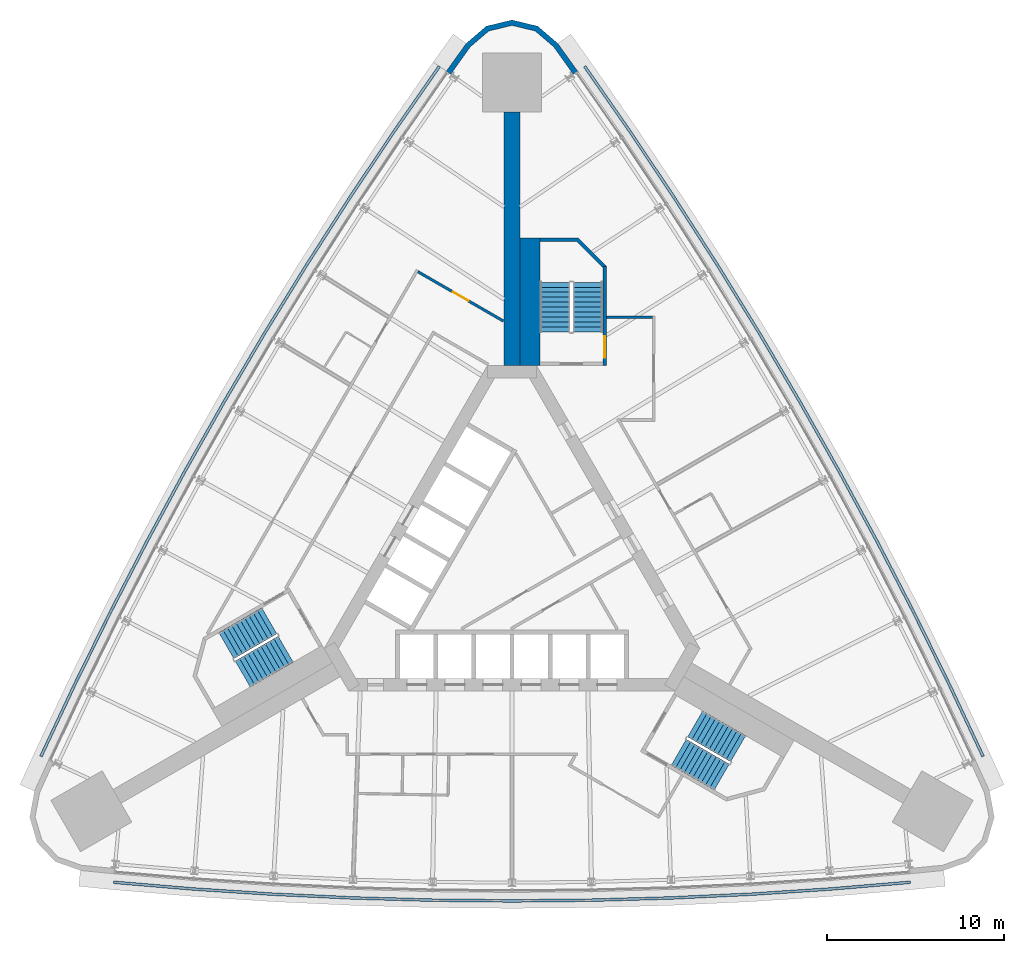
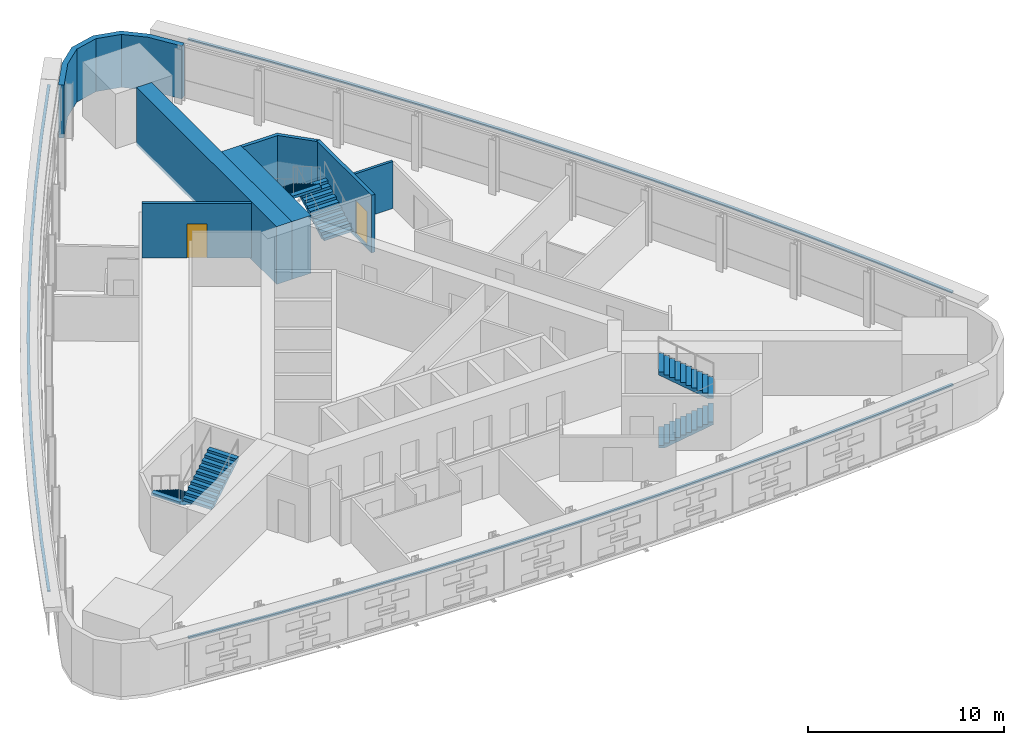
# One storey, part 12 of 14: 7 walls, 6 stair flights, 3 discrete accessories, 2 doors, 2 openings, 3 elements without a shape of their own.
"""IFC4 building model written with IfcOpenShell, lengths in metres."""

import ifcopenshell
import ifcopenshell.guid

model = None  # the IFC model being written
_history = None  # IfcOwnerHistory: only IFC2X3 demands one
_inside = {}  # id of a spatial element -> (the spatial element, [elements in it])
_under = {}  # id of a project, library or spatial element -> (it, [spatial elements below it])
_declared = {}  # id of a project -> (the project, [libraries it declares])
_typed = {}  # id of a type object -> (the type object, [elements of that type])
_made_of = {}  # id of a material, layer set ... -> (it, [elements and type objects made of it])


def new_model(schema):
    """Start an empty IFC model of exactly this schema.

    Asked for "IFC4X3", IfcOpenShell would pick the latest addendum, in which some entities
    have other attributes; the version numbers below select the first issue.
    IFC2X3 requires an IfcOwnerHistory on every rooted entity: one is made here for all.
    """
    global model, _history
    if schema == "IFC4X3":
        model = ifcopenshell.file(schema_version=(4, 3, 0, 0))
    else:
        model = ifcopenshell.file(schema=schema)
    _inside.clear()
    _under.clear()
    _declared.clear()
    _typed.clear()
    _made_of.clear()
    _history = None
    if model.schema == "IFC2X3":
        org = make("IfcOrganization", Name="unknown")
        user = make(
            "IfcPersonAndOrganization",
            ThePerson=make("IfcPerson", FamilyName="unknown"),
            TheOrganization=org,
        )
        app = make(
            "IfcApplication",
            ApplicationDeveloper=org,
            Version="unknown",
            ApplicationFullName="unknown",
            ApplicationIdentifier="unknown",
        )
        _history = make(
            "IfcOwnerHistory",
            OwningUser=user,
            OwningApplication=app,
            ChangeAction="ADDED",
            CreationDate=0,
        )
    return model


def make(cls, **values):
    """One entity of the class cls with the attributes given. An attribute that is None is left unset."""
    return model.create_entity(
        cls, **{name: value for name, value in values.items() if value is not None}
    )


def rooted(cls, **values):
    """An entity with a GlobalId (a new one), such as an element, a storey or a relation."""
    return make(cls, GlobalId=ifcopenshell.guid.new(), OwnerHistory=_history, **values)


def si_unit(unit_type, name, prefix=None):
    """IfcSIUnit, for example si_unit("LENGTHUNIT", "METRE", prefix="MILLI")."""
    return make("IfcSIUnit", UnitType=unit_type, Prefix=prefix, Name=name)


def assignment(units):
    """IfcUnitAssignment: the units of a project."""
    return None if units is None else make("IfcUnitAssignment", Units=units)


def point(xyz):
    """IfcCartesianPoint."""
    return None if xyz is None else make("IfcCartesianPoint", Coordinates=xyz)


def direction(xyz):
    """IfcDirection."""
    return None if xyz is None else make("IfcDirection", DirectionRatios=xyz)


def frame(location, z_axis=None, x_axis=None):
    """IfcAxis2Placement3D, a coordinate frame: its origin and axes. An axis left out is left unset."""
    return make(
        "IfcAxis2Placement3D",
        Location=point(location),
        Axis=direction(z_axis),
        RefDirection=direction(x_axis),
    )


def frame_2d(location, x_axis=None):
    """IfcAxis2Placement2D, a coordinate frame in the plane: its origin and x axis."""
    return make(
        "IfcAxis2Placement2D", Location=point(location), RefDirection=direction(x_axis)
    )


def origin():
    """The frame at (0, 0, 0) with its axes left unset."""
    return frame((0.0, 0.0, 0.0))


def place(relative_to, where):
    """IfcLocalPlacement: puts the frame where relative to a parent placement (None: the world)."""
    return make(
        "IfcLocalPlacement", PlacementRelTo=relative_to, RelativePlacement=where
    )


def context(
    kind, dimensions, precision=None, world=None, true_north=None, identifier=None
):
    """IfcGeometricRepresentationContext, for example the 3D "Model" context."""
    return make(
        "IfcGeometricRepresentationContext",
        ContextIdentifier=identifier,
        ContextType=kind,
        CoordinateSpaceDimension=dimensions,
        Precision=precision,
        WorldCoordinateSystem=world,
        TrueNorth=true_north,
    )


def subcontext(parent, identifier, kind, view, scale=None):
    """IfcGeometricRepresentationSubContext, for example "Body" below "Model"."""
    return make(
        "IfcGeometricRepresentationSubContext",
        ContextIdentifier=identifier,
        ContextType=kind,
        ParentContext=parent,
        TargetScale=scale,
        TargetView=view,
    )


def project(units=None, contexts=None):
    """IfcProject with its units and contexts."""
    return rooted(
        "IfcProject",
        Name="project",
        RepresentationContexts=contexts,
        UnitsInContext=assignment(units),
    )


def spatial(cls, under=None, at=None, **own):
    """A site, building, storey or space (cls), placed at a placement, below another one or the project."""
    s = rooted(cls, ObjectPlacement=at, **own)
    if under is not None:
        _under.setdefault(under.id(), (under, []))[1].append(s)
    return s


def polyline(points):
    """IfcPolyline through the points."""
    return make("IfcPolyline", Points=[point(p) for p in points])


def profile(cls, at=None, kind="AREA", **sizes):
    """A parametric profile (cls). Its sizes go by their IFC names, for example OverallWidth=200.0."""
    return make(cls, ProfileType=kind, Position=at, **sizes)


def rectangle(**sizes):
    """IfcRectangleProfileDef."""
    return profile("IfcRectangleProfileDef", **sizes)


def outline(outer, holes=None, kind="AREA"):
    """IfcArbitraryClosedProfileDef: a profile drawn as a closed curve; with holes, ...WithVoids."""
    if holes is None:
        return make("IfcArbitraryClosedProfileDef", ProfileType=kind, OuterCurve=outer)
    return make(
        "IfcArbitraryProfileDefWithVoids",
        ProfileType=kind,
        OuterCurve=outer,
        InnerCurves=holes,
    )


def extrude(swept, where, along, depth):
    """IfcExtrudedAreaSolid: the profile swept, set in the frame where, extruded along a direction by depth."""
    return make(
        "IfcExtrudedAreaSolid",
        SweptArea=swept,
        Position=where,
        ExtrudedDirection=direction(along),
        Depth=depth,
    )


def shape(context_of_items, identifier, shape_type, items):
    """IfcShapeRepresentation: the items that make up one representation, for example the "Body"."""
    return make(
        "IfcShapeRepresentation",
        ContextOfItems=context_of_items,
        RepresentationIdentifier=identifier,
        RepresentationType=shape_type,
        Items=items,
    )


def material(Name=None, Category=None):
    """IfcMaterial."""
    return make("IfcMaterial", Name=Name, Category=Category)


def layer(
    of_material, thickness, ventilated=None, Name=None, Category=None, Priority=None
):
    """IfcMaterialLayer: one layer of a wall or slab, of a material (None: an air gap)."""
    return make(
        "IfcMaterialLayer",
        Material=of_material,
        LayerThickness=thickness,
        IsVentilated=ventilated,
        Name=Name,
        Category=Category,
        Priority=Priority,
    )


def layer_set(layers, Name=None):
    """IfcMaterialLayerSet."""
    return make("IfcMaterialLayerSet", MaterialLayers=layers, LayerSetName=Name)


def made_of(thing, what):
    """Note that an element or type object is made of a material, layer set ...; save() writes the relation."""
    if what is not None:
        _made_of.setdefault(what.id(), (what, []))[1].append(thing)
    return thing


def type_object(cls, material=None, **own):
    """A type object (cls), such as IfcWallType, which elements share."""
    return made_of(rooted(cls, **own), material)


def element(
    cls,
    number,
    at=None,
    inside=None,
    cuts=None,
    type_object=None,
    material=None,
    context=None,
    identifier="Body",
    shape_type=None,
    held_by="IfcProductDefinitionShape",
    body=None,
    shapes=None,
    **own,
):
    """One element of the class cls, such as IfcWall. Its Tag is "e" and its number.

    at: its placement. inside: the storey or other place that contains it. cuts: it is an
    opening in that element (IfcRelVoidsElement). A single representation is given by context,
    identifier, shape_type and body (its items); several are given by shapes. held_by: the class
    of the entity that holds the representations. save() writes the other relations.
    """
    e = rooted(cls, Tag="e%d" % number, ObjectPlacement=at, **own)
    if body is not None:
        shapes = [shape(context, identifier, shape_type, body)]
    if shapes is not None:
        e.Representation = make(held_by, Representations=shapes)
    if inside is not None:
        _inside.setdefault(inside.id(), (inside, []))[1].append(e)
    if cuts is not None:
        rooted(
            "IfcRelVoidsElement", RelatingBuildingElement=cuts, RelatedOpeningElement=e
        )
    if type_object is not None:
        _typed.setdefault(type_object.id(), (type_object, []))[1].append(e)
    return made_of(e, material)


def fill(opening, filler):
    """IfcRelFillsElement: the door or window that sits in an opening."""
    return rooted(
        "IfcRelFillsElement",
        RelatingOpeningElement=opening,
        RelatedBuildingElement=filler,
    )


def aggregate(whole, parts):
    """IfcRelAggregates: a whole, such as a stair, and the parts it consists of."""
    return rooted("IfcRelAggregates", RelatingObject=whole, RelatedObjects=parts)


def save(model, path):
    """Write the relations noted so far, then the file.

    IfcRelAggregates (storeys below a building ...), IfcRelContainedInSpatialStructure (elements
    in a storey), IfcRelDefinesByType, IfcRelAssociatesMaterial and IfcRelDeclares: one each for
    every whole, place, type object, material and project.
    """
    for whole, parts in _under.values():
        aggregate(whole, parts)
    for where, things in _inside.values():
        rooted(
            "IfcRelContainedInSpatialStructure",
            RelatedElements=things,
            RelatingStructure=where,
        )
    for kind, things in _typed.values():
        rooted("IfcRelDefinesByType", RelatedObjects=things, RelatingType=kind)
    for what, things in _made_of.values():
        rooted("IfcRelAssociatesMaterial", RelatedObjects=things, RelatingMaterial=what)
    for by, libraries in _declared.values():
        rooted("IfcRelDeclares", RelatingContext=by, RelatedDefinitions=libraries)
    model.write(path)


model = new_model("IFC4")

# Units and contexts
model_context = context("Model", 3, precision=1e-05, world=origin(), true_north=direction((0.0, 1.0)))
body_context = subcontext(model_context, "Body", "Model", "MODEL_VIEW")
ifc_project = project(units=[si_unit("LENGTHUNIT", "METRE"), si_unit("AREAUNIT", "SQUARE_METRE"), si_unit("VOLUMEUNIT", "CUBIC_METRE"), si_unit("PLANEANGLEUNIT", "RADIAN"), si_unit("MASSUNIT", "GRAM", prefix="KILO")], contexts=[model_context])

# Site, building, storey
site_placement = place(None, origin())
site = spatial("IfcSite", under=ifc_project, at=site_placement, CompositionType="ELEMENT")
building_placement = place(site_placement, origin())
building = spatial("IfcBuilding", under=site, at=building_placement, Name="Noor Cloister Tower", CompositionType="ELEMENT")
storey_placement = place(building_placement, frame((0.0, 0.0, 38.39990234375)))
storey = spatial("IfcBuildingStorey", under=building, at=storey_placement, Name="L09", CompositionType="ELEMENT", Elevation=38.39990234375)

# Wall
ifc_material_1 = material(Name="Concrete C80/95", Category="concrete")
ifc_layer_1 = layer(ifc_material_1, 0.89990234375)
ifc_layer_set_1 = layer_set([ifc_layer_1], Name="Buttress wall 900 C80/95")
wall_type_1 = type_object("IfcWallType", Name="Buttress wall 900 C80/95", PredefinedType="SHEAR", material=ifc_layer_set_1)
wall_1_placement = place(storey_placement, frame((0.0, 11.456298828125, -0.199951171875), z_axis=(0.0, 0.0, 1.0), x_axis=(0.0, 1.0, 0.0)))
element("IfcWall", 1, at=wall_1_placement, inside=storey, type_object=wall_type_1, Name="Buttress wall N L09", PredefinedType="SHEAR", context=body_context, shape_type="SweptSolid", body=[
    extrude(rectangle(XDim=14.30859375, YDim=0.89990234375, at=frame_2d((7.154296875, 0.0))), origin(), (0.0, 0.0, 1.0), 3.60009765625),
])

# Wall, opening, door
ifc_material_2 = material(Name="Gypsum board partition on steel studs, 150 mm", Category="steel")
ifc_layer_2 = layer(ifc_material_2, 0.14990234375)
ifc_layer_set_2 = layer_set([ifc_layer_2], Name="Flat wall 150")
wall_type_2 = type_object("IfcWallType", Name="Flat wall 150", PredefinedType="PARTITIONING", material=ifc_layer_set_2)
wall_2_placement = place(storey_placement, frame((-5.3125, 16.754638671875, 0.0), z_axis=(0.0, 0.0, 1.0), x_axis=(0.866028693448, -0.499994302092, 0.0)))
wall_2 = element("IfcWall", 2, at=wall_2_placement, inside=storey, type_object=wall_type_2, Name="Flat wall 150 L09 007", PredefinedType="PARTITIONING", context=body_context, shape_type="SweptSolid", body=[
    extrude(rectangle(XDim=5.5712890625, YDim=0.14990234375, at=frame_2d((2.78564453125, 0.0))), origin(), (0.0, 0.0, 1.0), 3.400146484375),
])
opening_1_placement = place(wall_2_placement, frame((2.295166015625, 0.0, 0.0)))
opening_1 = element("IfcOpeningElement", 3, at=opening_1_placement, cuts=wall_2, Name="Opening L09-011", PredefinedType="OPENING", context=body_context, shape_type="SweptSolid", body=[
    extrude(rectangle(XDim=1.0, YDim=2.10009765625, at=frame_2d((0.5, 1.050048828125))), frame((0.0, 0.0849609375, 0.0), z_axis=(0.0, -1.0, 0.0), x_axis=(1.0, 0.0, 0.0)), (0.0, 0.0, 1.0), 0.169921875),
])
ifc_material_3 = material(Name="Timber door leaf with steel frame", Category="steel")
door_type_1 = type_object("IfcDoorType", Name="Interior door 1000 FD60", OperationType="NOTDEFINED", PredefinedType="DOOR", material=ifc_material_3)
door_1_placement = place(opening_1_placement, origin())
door_1 = element("IfcDoor", 4, at=door_1_placement, inside=storey, type_object=door_type_1, Name="Interior door 1000 L09-011", OperationType="SINGLE_SWING_RIGHT", OverallHeight=2.10009765625, OverallWidth=1.0, PredefinedType="DOOR", context=body_context, shape_type="SweptSolid", body=[
    extrude(rectangle(XDim=1.0, YDim=2.10009765625, at=frame_2d((0.5, 1.050048828125))), frame((0.0, 0.02490234375, 0.0), z_axis=(0.0, -1.0, 0.0), x_axis=(1.0, 0.0, 0.0)), (0.0, 0.0, 1.0), 0.050048828125),
])
fill(opening_1, door_1)

# Walls
wall_3_placement = place(storey_placement, frame((5.335693359375, 14.181396484375, 0.0), z_axis=(0.0, 0.0, 1.0), x_axis=(1.0, 0.0, 0.0)))
element("IfcWall", 5, at=wall_3_placement, inside=storey, type_object=wall_type_2, Name="Flat wall 150 L09 009", PredefinedType="PARTITIONING", context=body_context, shape_type="SweptSolid", body=[
    extrude(rectangle(XDim=2.599853515625, YDim=0.14990234375, at=frame_2d((1.2998046875, 0.0))), origin(), (0.0, 0.0, 1.0), 2.923095703125),
])
ifc_material_4 = material(Name="Limestone", Category="masonry")
ifc_layer_3 = layer(ifc_material_4, 0.300048828125)
ifc_layer_set_3 = layer_set([ifc_layer_3], Name="Limestone cladding 300")
wall_type_3 = type_object("IfcWallType", Name="Limestone cladding 300", PredefinedType="NOTDEFINED", material=ifc_layer_set_3)
wall_4_placement = place(storey_placement, origin())
element("IfcWall", 6, at=wall_4_placement, inside=storey, type_object=wall_type_3, Name="Limestone pier cladding L09 3.1", PredefinedType="NOTDEFINED", context=body_context, shape_type="SweptSolid", body=[
    extrude(outline(polyline([(3.708984375, 28.084228515625), (2.58642578125, 29.65234375), (1.45263671875, 30.625244140625), (0.0, 30.975341796875), (-1.45263671875, 30.625244140625), (-2.58642578125, 29.65234375), (-3.708984375, 28.084228515625), (-3.465087890625, 27.90966796875), (-2.363525390625, 29.4482421875), (-1.31201171875, 30.3505859375), (0.0, 30.666748046875), (1.31201171875, 30.3505859375), (2.363525390625, 29.4482421875), (3.465087890625, 27.90966796875), (3.708984375, 28.084228515625)])), origin(), (0.0, 0.0, 1.0), 3.300048828125),
])
ifc_material_5 = material(Name="Concrete C80/95", Category="concrete")
ifc_layer_4 = layer(ifc_material_5, 1.135986328125)
ifc_layer_set_4 = layer_set([ifc_layer_4], Name="Stair enclosure wall 1136 C80/95")
wall_type_4 = type_object("IfcWallType", Name="Stair enclosure wall 1136 C80/95", PredefinedType="SHEAR", material=ifc_layer_set_4)
wall_5_placement = place(storey_placement, frame((1.017822265625, 11.456298828125, -0.199951171875), z_axis=(0.0, 0.0, 1.0), x_axis=(0.0, 1.0, 0.0)))
element("IfcWall", 7, at=wall_5_placement, inside=storey, type_object=wall_type_4, Name="Stair enclosure wall ST1 L09 riser side", PredefinedType="SHEAR", context=body_context, shape_type="SweptSolid", body=[
    extrude(rectangle(XDim=7.2001953125, YDim=1.1357421875, at=frame_2d((3.60009765625, 0.0))), origin(), (0.0, 0.0, 1.0), 3.60009765625),
])

# Wall, opening, door
ifc_material_6 = material(Name="Concrete C80/95", Category="concrete")
ifc_layer_5 = layer(ifc_material_6, 0.199951171875)
ifc_layer_set_5 = layer_set([ifc_layer_5], Name="Stair enclosure wall 200 C80/95")
wall_type_5 = type_object("IfcWallType", Name="Stair enclosure wall 200 C80/95", PredefinedType="SHEAR", material=ifc_layer_set_5)
wall_6_placement = place(storey_placement, frame((5.235595703125, 11.456298828125, -0.199951171875), z_axis=(0.0, 0.0, 1.0), x_axis=(0.0, 1.0, 0.0)))
wall_6 = element("IfcWall", 8, at=wall_6_placement, inside=storey, type_object=wall_type_5, Name="Stair enclosure wall ST1 L09 outer side", PredefinedType="SHEAR", context=body_context, shape_type="SweptSolid", body=[
    extrude(rectangle(XDim=5.60009765625, YDim=0.199951171875, at=frame_2d((2.800048828125, 0.0))), origin(), (0.0, 0.0, 1.0), 3.60009765625),
])
opening_2_placement = place(wall_6_placement, frame((0.449951171875, 0.0, 0.199951171875)))
opening_2 = element("IfcOpeningElement", 9, at=opening_2_placement, cuts=wall_6, Name="Opening L09-ST1C", PredefinedType="OPENING", context=body_context, shape_type="SweptSolid", body=[
    extrude(rectangle(XDim=1.199951171875, YDim=2.10009765625, at=frame_2d((0.60009765625, 1.050048828125))), frame((0.0, 0.10986328125, 0.0), z_axis=(0.0, -1.0, 0.0), x_axis=(1.0, 0.0, 0.0)), (0.0, 0.0, 1.0), 0.219970703125),
])
ifc_material_7 = material(Name="Steel", Category="steel")
door_type_2 = type_object("IfcDoorType", Name="Stair door 1200 x 2100 FD120", OperationType="SINGLE_SWING_LEFT", PredefinedType="DOOR", material=ifc_material_7)
door_2_placement = place(opening_2_placement, origin())
door_2 = element("IfcDoor", 10, at=door_2_placement, inside=storey, type_object=door_type_2, Name="Stair door ST1 L09", OperationType="SINGLE_SWING_LEFT", OverallHeight=2.10009765625, OverallWidth=1.199951171875, PredefinedType="DOOR", context=body_context, shape_type="SweptSolid", body=[
    extrude(rectangle(XDim=1.199951171875, YDim=2.10009765625, at=frame_2d((0.60009765625, 1.050048828125))), frame((0.0, 0.02490234375, 0.0), z_axis=(0.0, -1.0, 0.0), x_axis=(1.0, 0.0, 0.0)), (0.0, 0.0, 1.0), 0.050048828125),
])
fill(opening_2, door_2)

# Wall
ifc_material_8 = material(Name="Concrete C80/95", Category="concrete")
wall_type_6 = type_object("IfcWallType", Name="Stair far end wall C80/95", PredefinedType="SHEAR", material=ifc_material_8)
wall_7_placement = place(storey_placement, frame((0.0, 0.0, -0.199951171875)))
element("IfcWall", 11, at=wall_7_placement, inside=storey, type_object=wall_type_6, Name="Stair enclosure wall ST1 L09 far end", PredefinedType="SHEAR", context=body_context, shape_type="SweptSolid", body=[
    extrude(outline(polyline([(5.335693359375, 17.056396484375), (3.735595703125, 18.656494140625), (1.585693359375, 18.656494140625), (1.585693359375, 18.456298828125), (3.65283203125, 18.456298828125), (5.135498046875, 16.9736328125), (5.135498046875, 17.056396484375), (5.135498046875, 17.056396484375), (5.135498046875, 17.056396484375), (5.135498046875, 17.056396484375), (5.135498046875, 17.056396484375), (5.135498046875, 17.056396484375), (5.135498046875, 17.056396484375), (5.135498046875, 17.056396484375), (5.135498046875, 17.056396484375), (5.135498046875, 17.056396484375), (5.135498046875, 17.056396484375), (5.135498046875, 17.056396484375), (5.135498046875, 17.056396484375), (5.135498046875, 17.056396484375), (5.135498046875, 17.056396484375), (5.135498046875, 17.056396484375), (5.135498046875, 17.056396484375), (5.335693359375, 17.056396484375)])), origin(), (0.0, 0.0, 1.0), 3.60009765625),
])

# Stair, stair flights
ifc_material_9 = material(Name="Concrete C40/50", Category="concrete")
stair_type = type_object("IfcStairType", Name="Exit stair 22 risers", PredefinedType="HALF_TURN_STAIR", material=ifc_material_9)
stair_1_placement = place(storey_placement, origin())
stair_1 = element("IfcStair", 12, at=stair_1_placement, inside=storey, type_object=stair_type, Name="Exit stair ST1 L09", PredefinedType="HALF_TURN_STAIR")
ifc_material_10 = material(Name="Concrete C40/50", Category="concrete")
stair_flight_type = type_object("IfcStairFlightType", Name="Exit stair flight", PredefinedType="STRAIGHT", material=ifc_material_10)
stair_flight_1_placement = place(storey_placement, frame((4.28564453125, 13.3564453125, 0.0), z_axis=(0.0, 0.0, 1.0), x_axis=(0.0, 1.0, 0.0)))
stair_flight_1 = element("IfcStairFlight", 13, at=stair_flight_1_placement, type_object=stair_flight_type, Name="ST1 flight 1", NumberOfRisers=11, NumberOfTreads=10, PredefinedType="STRAIGHT", RiserHeight=0.163636364, TreadLength=0.28, context=body_context, shape_type="SweptSolid", body=[
    extrude(outline(polyline([(0.0, 0.0), (0.0, 0.16357421875), (0.280029296875, 0.16357421875), (0.280029296875, 0.327392578125), (0.56005859375, 0.327392578125), (0.56005859375, 0.490966796875), (0.840087890625, 0.490966796875), (0.840087890625, 0.654541015625), (1.1201171875, 0.654541015625), (1.1201171875, 0.818115234375), (1.39990234375, 0.818115234375), (1.39990234375, 0.98193359375), (1.679931640625, 0.98193359375), (1.679931640625, 1.1455078125), (1.9599609375, 1.1455078125), (1.9599609375, 1.30908203125), (2.239990234375, 1.30908203125), (2.239990234375, 1.47265625), (2.52001953125, 1.47265625), (2.52001953125, 1.636474609375), (2.800048828125, 1.636474609375), (2.800048828125, 1.800048828125), (2.800048828125, 1.462646484375), (0.297119140625, 0.0), (0.0, 0.0)])), frame((0.0, 0.85009765625, 0.0), z_axis=(0.0, -1.0, 0.0), x_axis=(1.0, 0.0, 0.0)), (0.0, 0.0, 1.0), 1.699951171875),
])
stair_flight_2_placement = place(storey_placement, frame((2.435546875, 16.156494140625, 1.800048828125), z_axis=(0.0, 0.0, 1.0), x_axis=(0.0, -1.0, 0.0)))
stair_flight_2 = element("IfcStairFlight", 14, at=stair_flight_2_placement, type_object=stair_flight_type, Name="ST1 flight 2", NumberOfRisers=11, NumberOfTreads=10, PredefinedType="STRAIGHT", RiserHeight=0.163636364, TreadLength=0.28, context=body_context, shape_type="SweptSolid", body=[
    extrude(outline(polyline([(0.0, 0.0), (0.0, 0.16357421875), (0.280029296875, 0.16357421875), (0.280029296875, 0.327392578125), (0.56005859375, 0.327392578125), (0.56005859375, 0.490966796875), (0.840087890625, 0.490966796875), (0.840087890625, 0.654541015625), (1.1201171875, 0.654541015625), (1.1201171875, 0.818115234375), (1.39990234375, 0.818115234375), (1.39990234375, 0.98193359375), (1.679931640625, 0.98193359375), (1.679931640625, 1.1455078125), (1.9599609375, 1.1455078125), (1.9599609375, 1.30908203125), (2.239990234375, 1.30908203125), (2.239990234375, 1.47265625), (2.52001953125, 1.47265625), (2.52001953125, 1.636474609375), (2.800048828125, 1.636474609375), (2.800048828125, 1.800048828125), (2.800048828125, 1.462646484375), (0.297119140625, 0.0), (0.0, 0.0)])), frame((0.0, 0.85009765625, 0.0), z_axis=(0.0, -1.0, 0.0), x_axis=(1.0, 0.0, 0.0)), (0.0, 0.0, 1.0), 1.699951171875),
])
aggregate(stair_1, [stair_flight_1, stair_flight_2])

stair_2_placement = place(storey_placement, origin())
stair_2 = element("IfcStair", 15, at=stair_2_placement, inside=storey, type_object=stair_type, Name="Exit stair ST2 L09", PredefinedType="HALF_TURN_STAIR")
stair_flight_3_placement = place(storey_placement, frame((-13.709716796875, -2.966796875, 0.0), z_axis=(0.0, 0.0, 1.0), x_axis=(-0.866025403784, -0.5, 0.0)))
stair_flight_3 = element("IfcStairFlight", 16, at=stair_flight_3_placement, type_object=stair_flight_type, Name="ST2 flight 1", NumberOfRisers=11, NumberOfTreads=10, PredefinedType="STRAIGHT", RiserHeight=0.163636364, TreadLength=0.28, context=body_context, shape_type="SweptSolid", body=[
    extrude(outline(polyline([(0.0, 0.0), (0.0, 0.16357421875), (0.280029296875, 0.16357421875), (0.280029296875, 0.327392578125), (0.56005859375, 0.327392578125), (0.56005859375, 0.490966796875), (0.840087890625, 0.490966796875), (0.840087890625, 0.654541015625), (1.1201171875, 0.654541015625), (1.1201171875, 0.818115234375), (1.39990234375, 0.818115234375), (1.39990234375, 0.98193359375), (1.679931640625, 0.98193359375), (1.679931640625, 1.1455078125), (1.9599609375, 1.1455078125), (1.9599609375, 1.30908203125), (2.239990234375, 1.30908203125), (2.239990234375, 1.47265625), (2.52001953125, 1.47265625), (2.52001953125, 1.636474609375), (2.800048828125, 1.636474609375), (2.800048828125, 1.800048828125), (2.800048828125, 1.462646484375), (0.297119140625, 0.0), (0.0, 0.0)])), frame((0.0, 0.85009765625, 0.0), z_axis=(0.0, -1.0, 0.0), x_axis=(1.0, 0.0, 0.0)), (0.0, 0.0, 1.0), 1.699951171875),
])
stair_flight_4_placement = place(storey_placement, frame((-15.209716796875, -5.968994140625, 1.800048828125), z_axis=(0.0, 0.0, 1.0), x_axis=(0.866025403784, 0.5, 0.0)))
stair_flight_4 = element("IfcStairFlight", 17, at=stair_flight_4_placement, type_object=stair_flight_type, Name="ST2 flight 2", NumberOfRisers=11, NumberOfTreads=10, PredefinedType="STRAIGHT", RiserHeight=0.163636364, TreadLength=0.28, context=body_context, shape_type="SweptSolid", body=[
    extrude(outline(polyline([(0.0, 0.0), (0.0, 0.16357421875), (0.280029296875, 0.16357421875), (0.280029296875, 0.327392578125), (0.56005859375, 0.327392578125), (0.56005859375, 0.490966796875), (0.840087890625, 0.490966796875), (0.840087890625, 0.654541015625), (1.1201171875, 0.654541015625), (1.1201171875, 0.818115234375), (1.39990234375, 0.818115234375), (1.39990234375, 0.98193359375), (1.679931640625, 0.98193359375), (1.679931640625, 1.1455078125), (1.9599609375, 1.1455078125), (1.9599609375, 1.30908203125), (2.239990234375, 1.30908203125), (2.239990234375, 1.47265625), (2.52001953125, 1.47265625), (2.52001953125, 1.636474609375), (2.800048828125, 1.636474609375), (2.800048828125, 1.800048828125), (2.800048828125, 1.462646484375), (0.297119140625, 0.0), (0.0, 0.0)])), frame((0.0, 0.85009765625, 0.0), z_axis=(0.0, -1.0, 0.0), x_axis=(1.0, 0.0, 0.0)), (0.0, 0.0, 1.0), 1.699951171875),
])
aggregate(stair_2, [stair_flight_3, stair_flight_4])

stair_3_placement = place(storey_placement, origin())
stair_3 = element("IfcStair", 18, at=stair_3_placement, inside=storey, type_object=stair_type, Name="Exit stair ST3 L09", PredefinedType="HALF_TURN_STAIR")
stair_flight_5_placement = place(storey_placement, frame((9.424072265625, -10.3896484375, 0.0), z_axis=(0.0, 0.0, 1.0), x_axis=(0.866025403784, -0.5, 0.0)))
stair_flight_5 = element("IfcStairFlight", 19, at=stair_flight_5_placement, type_object=stair_flight_type, Name="ST3 flight 1", NumberOfRisers=11, NumberOfTreads=10, PredefinedType="STRAIGHT", RiserHeight=0.163636364, TreadLength=0.28, context=body_context, shape_type="SweptSolid", body=[
    extrude(outline(polyline([(0.0, 0.0), (0.0, 0.16357421875), (0.280029296875, 0.16357421875), (0.280029296875, 0.327392578125), (0.56005859375, 0.327392578125), (0.56005859375, 0.490966796875), (0.840087890625, 0.490966796875), (0.840087890625, 0.654541015625), (1.1201171875, 0.654541015625), (1.1201171875, 0.818115234375), (1.39990234375, 0.818115234375), (1.39990234375, 0.98193359375), (1.679931640625, 0.98193359375), (1.679931640625, 1.1455078125), (1.9599609375, 1.1455078125), (1.9599609375, 1.30908203125), (2.239990234375, 1.30908203125), (2.239990234375, 1.47265625), (2.52001953125, 1.47265625), (2.52001953125, 1.636474609375), (2.800048828125, 1.636474609375), (2.800048828125, 1.800048828125), (2.800048828125, 1.462646484375), (0.297119140625, 0.0), (0.0, 0.0)])), frame((0.0, 0.85009765625, 0.0), z_axis=(0.0, -1.0, 0.0), x_axis=(1.0, 0.0, 0.0)), (0.0, 0.0, 1.0), 1.699951171875),
])
stair_flight_6_placement = place(storey_placement, frame((12.77392578125, -10.1875, 1.800048828125), z_axis=(0.0, 0.0, 1.0), x_axis=(-0.866025403784, 0.5, 0.0)))
stair_flight_6 = element("IfcStairFlight", 20, at=stair_flight_6_placement, type_object=stair_flight_type, Name="ST3 flight 2", NumberOfRisers=11, NumberOfTreads=10, PredefinedType="STRAIGHT", RiserHeight=0.163636364, TreadLength=0.28, context=body_context, shape_type="SweptSolid", body=[
    extrude(outline(polyline([(0.0, 0.0), (0.0, 0.16357421875), (0.280029296875, 0.16357421875), (0.280029296875, 0.327392578125), (0.56005859375, 0.327392578125), (0.56005859375, 0.490966796875), (0.840087890625, 0.490966796875), (0.840087890625, 0.654541015625), (1.1201171875, 0.654541015625), (1.1201171875, 0.818115234375), (1.39990234375, 0.818115234375), (1.39990234375, 0.98193359375), (1.679931640625, 0.98193359375), (1.679931640625, 1.1455078125), (1.9599609375, 1.1455078125), (1.9599609375, 1.30908203125), (2.239990234375, 1.30908203125), (2.239990234375, 1.47265625), (2.52001953125, 1.47265625), (2.52001953125, 1.636474609375), (2.800048828125, 1.636474609375), (2.800048828125, 1.800048828125), (2.800048828125, 1.462646484375), (0.297119140625, 0.0), (0.0, 0.0)])), frame((0.0, 0.85009765625, 0.0), z_axis=(0.0, -1.0, 0.0), x_axis=(1.0, 0.0, 0.0)), (0.0, 0.0, 1.0), 1.699951171875),
])
aggregate(stair_3, [stair_flight_5, stair_flight_6])

# Discrete accessories
ifc_material_11 = material(Name="Stainless steel grade 316", Category="steel")
discrete_accessory_type = type_object("IfcDiscreteAccessoryType", Name="Stainless hanger rail", PredefinedType="BRACKET", material=ifc_material_11)
discrete_accessory_1_placement = place(storey_placement, frame((0.0, 0.0, 3.2001953125)))
element("IfcDiscreteAccessory", 21, at=discrete_accessory_1_placement, inside=storey, type_object=discrete_accessory_type, Name="Hanger rail L09", PredefinedType="BRACKET", context=body_context, shape_type="SweptSolid", body=[
    extrude(outline(polyline([(-4.168701171875, 28.404052734375), (-6.74169921875, 24.705810546875), (-9.247802734375, 20.955810546875), (-11.683349609375, 17.159423828125), (-14.04736328125, 13.318359375), (-16.339111328125, 9.433349609375), (-18.5576171875, 5.50634765625), (-20.702392578125, 1.538330078125), (-22.772216796875, -2.468994140625), (-24.766845703125, -6.514404296875), (-26.682861328125, -10.591796875), (-26.5380859375, -10.659912109375), (-24.62255859375, -6.583984375), (-22.62939453125, -2.541015625), (-20.560791015625, 1.463623046875), (-18.417724609375, 5.428955078125), (-16.20068359375, 9.353515625), (-13.910400390625, 13.235595703125), (-11.5478515625, 17.074462890625), (-9.114013671875, 20.8681640625), (-6.609375, 24.61572265625), (-4.037353515625, 28.312744140625), (-4.168701171875, 28.404052734375)])), origin(), (0.0, 0.0, 1.0), 0.099853515625),
])
discrete_accessory_2_placement = place(storey_placement, frame((0.0, 0.0, 3.2001953125)))
element("IfcDiscreteAccessory", 22, at=discrete_accessory_2_placement, inside=storey, type_object=discrete_accessory_type, Name="Hanger rail L09", PredefinedType="BRACKET", context=body_context, shape_type="SweptSolid", body=[
    extrude(outline(polyline([(-22.51416015625, -17.812255859375), (-18.025146484375, -18.19140625), (-13.5244140625, -18.48681640625), (-9.018798828125, -18.697998046875), (-4.51025390625, -18.82470703125), (0.0, -18.866943359375), (4.51025390625, -18.82470703125), (9.018798828125, -18.697998046875), (13.5244140625, -18.48681640625), (18.025146484375, -18.19140625), (22.51416015625, -17.812255859375), (22.500732421875, -17.65283203125), (18.01318359375, -18.03173828125), (13.515380859375, -18.3271484375), (9.012939453125, -18.5380859375), (4.50732421875, -18.66455078125), (0.0, -18.706787109375), (-4.50732421875, -18.66455078125), (-9.012939453125, -18.5380859375), (-13.515380859375, -18.3271484375), (-18.01318359375, -18.03173828125), (-22.500732421875, -17.65283203125), (-22.51416015625, -17.812255859375)])), origin(), (0.0, 0.0, 1.0), 0.099853515625),
])
discrete_accessory_3_placement = place(storey_placement, frame((0.0, 0.0, 3.2001953125)))
element("IfcDiscreteAccessory", 23, at=discrete_accessory_3_placement, inside=storey, type_object=discrete_accessory_type, Name="Hanger rail L09", PredefinedType="BRACKET", context=body_context, shape_type="SweptSolid", body=[
    extrude(outline(polyline([(26.682861328125, -10.591796875), (24.766845703125, -6.514404296875), (22.772216796875, -2.468994140625), (20.702392578125, 1.538330078125), (18.5576171875, 5.50634765625), (16.339111328125, 9.433349609375), (14.04736328125, 13.318359375), (11.683349609375, 17.159423828125), (9.247802734375, 20.955810546875), (6.74169921875, 24.705810546875), (4.168701171875, 28.404052734375), (4.037353515625, 28.312744140625), (6.609375, 24.61572265625), (9.114013671875, 20.8681640625), (11.5478515625, 17.074462890625), (13.910400390625, 13.235595703125), (16.20068359375, 9.353515625), (18.417724609375, 5.428955078125), (20.560791015625, 1.463623046875), (22.62939453125, -2.541015625), (24.62255859375, -6.583984375), (26.5380859375, -10.659912109375), (26.682861328125, -10.591796875)])), origin(), (0.0, 0.0, 1.0), 0.099853515625),
])

save(model, "model.ifc")
